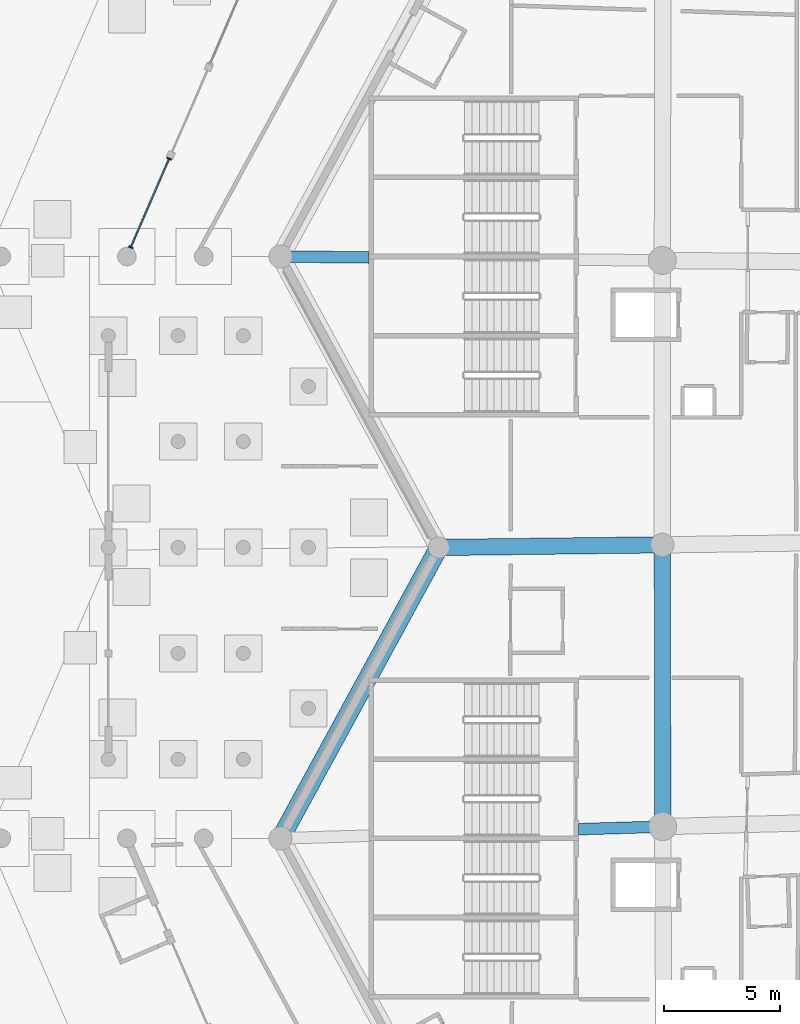
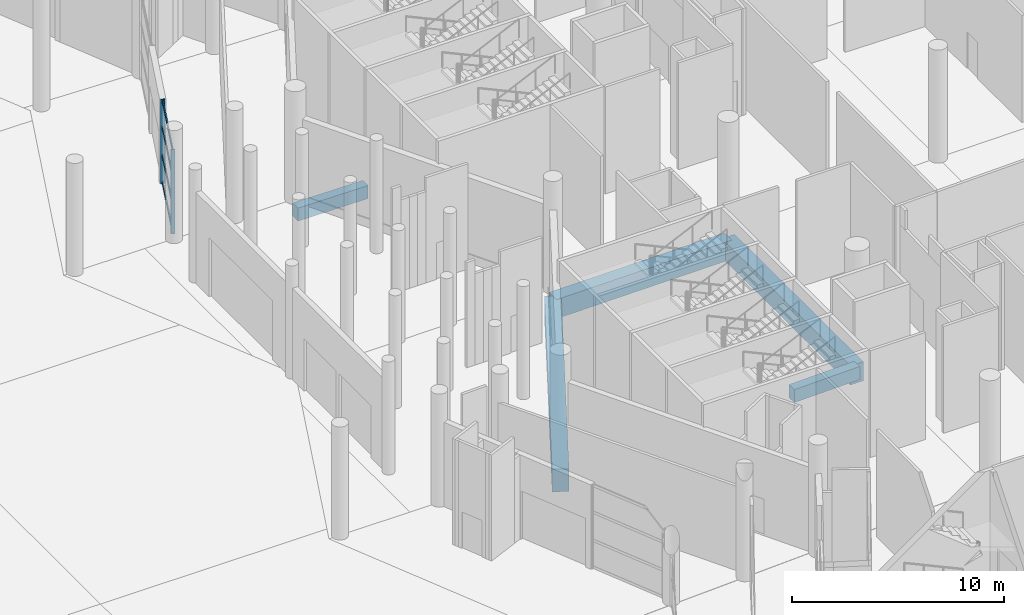
# One storey, part 26 of 255: 6 members, 5 beams, 1 element without a shape of its own.
"""IFC4 building model written with IfcOpenShell, lengths in metres."""

from ifc_helpers import new_model, si_unit, direction, frame, origin, origin_2d, place, context, subcontext, project, spatial, rectangle, extrude, material, layer, layer_set, material_profile, profile_set, type_object, element, aggregate, save


model = new_model("IFC4")

# Units and contexts
model_context = context("Model", 3, precision=1e-05, world=origin(), true_north=direction((0.0, 1.0)))
body_context = subcontext(model_context, "Body", "Model", "MODEL_VIEW")
ifc_project = project(units=[si_unit("LENGTHUNIT", "METRE"), si_unit("AREAUNIT", "SQUARE_METRE"), si_unit("VOLUMEUNIT", "CUBIC_METRE"), si_unit("PLANEANGLEUNIT", "RADIAN"), si_unit("MASSUNIT", "GRAM", prefix="KILO")], contexts=[model_context])

# Site, building, storey
site_placement = place(None, origin())
site = spatial("IfcSite", under=ifc_project, at=site_placement, CompositionType="ELEMENT")
building_placement = place(site_placement, origin())
building = spatial("IfcBuilding", under=site, at=building_placement, Name="Meseta Stadium", CompositionType="ELEMENT")
storey_placement = place(building_placement, origin())
storey = spatial("IfcBuildingStorey", under=building, at=storey_placement, Name="L00", CompositionType="ELEMENT", Elevation=0.0)

# Beams
ifc_material_1 = material(Name="Concrete C40/50", Category="concrete")
ifc_material_profile_1 = material_profile(ifc_material_1, rectangle(XDim=0.5, YDim=0.75, at=origin_2d()), Name="RC 500x750")
ifc_profile_set_1 = profile_set([ifc_material_profile_1], Name="Concrete C40/50")
beam_type_1 = type_object("IfcBeamType", Name="RC beam 500x750", PredefinedType="BEAM", material=ifc_profile_set_1)
beam_1_placement = place(storey_placement, frame((-97.60009765625, 6.2109375, -0.77490234375), z_axis=(-0.999947163614, 0.010279590477, 0.0), x_axis=(-0.010279590477, -0.999947163614, 0.0)))
element("IfcBeam", 1, at=beam_1_placement, inside=storey, type_object=beam_type_1, Name="L00 radial beam frame 32 line P to R", PredefinedType="BEAM", context=body_context, shape_type="SweptSolid", body=[
    extrude(rectangle(XDim=0.5, YDim=0.75, at=origin_2d()), origin(), (0.0, 0.0, 1.0), 3.800048828125),
])
beam_2_placement = place(storey_placement, frame((-84.978515625, -18.24365234375, -0.77490234375), z_axis=(-0.999525783299, -0.030792994672, 0.0), x_axis=(0.030792994672, -0.999525783299, 0.0)))
element("IfcBeam", 2, at=beam_2_placement, inside=storey, type_object=beam_type_1, Name="L00 radial beam frame 34 line P to R", PredefinedType="BEAM", context=body_context, shape_type="SweptSolid", body=[
    extrude(rectangle(XDim=0.5, YDim=0.75, at=origin_2d()), origin(), (0.0, 0.0, 1.0), 3.623291015625),
])
ifc_material_2 = material(Name="Concrete C40/50", Category="concrete")
ifc_material_profile_2 = material_profile(ifc_material_2, rectangle(XDim=0.699951171875, YDim=1.10009765625, at=origin_2d()), Name="RC 700x1100")
ifc_profile_set_2 = profile_set([ifc_material_profile_2], Name="Concrete C40/50")
beam_type_2 = type_object("IfcBeamType", Name="RC beam 700x1100", PredefinedType="BEAM", material=ifc_profile_set_2)
beam_3_placement = place(storey_placement, frame((-84.9970703125, -6.13720703125, -0.949951171875), z_axis=(0.001532627062, -0.999998825526, 0.0), x_axis=(0.999998825526, 0.001532627062, 0.0)))
element("IfcBeam", 3, at=beam_3_placement, inside=storey, type_object=beam_type_2, Name="L00 ring beam frame 33 line P", PredefinedType="BEAM", context=body_context, shape_type="SweptSolid", body=[
    extrude(rectangle(XDim=0.699951171875, YDim=1.10009765625, at=origin_2d()), origin(), (0.0, 0.0, 1.0), 12.1064453125),
])
beam_4_placement = place(storey_placement, frame((-84.9970703125, -6.13720703125, -0.949951171875), z_axis=(-0.999931028004, -0.01174475352, 0.0), x_axis=(0.01174475352, -0.999931028004, 0.0)))
element("IfcBeam", 4, at=beam_4_placement, inside=storey, type_object=beam_type_2, Name="L00 radial beam frame 33 line P to R", PredefinedType="BEAM", context=body_context, shape_type="SweptSolid", body=[
    extrude(rectangle(XDim=0.699951171875, YDim=1.10009765625, at=origin_2d()), origin(), (0.0, 0.0, 1.0), 9.603759765625),
])
ifc_material_3 = material(Name="Concrete C40/50", Category="concrete")
ifc_material_profile_3 = material_profile(ifc_material_3, rectangle(XDim=0.800048828125, YDim=1.300048828125, at=origin_2d()), Name="RC 800x1300")
ifc_profile_set_3 = profile_set([ifc_material_profile_3], Name="Concrete C40/50")
beam_type_3 = type_object("IfcBeamType", Name="RC beam 800x1300", PredefinedType="BEAM", material=ifc_profile_set_3)
beam_5_placement = place(storey_placement, frame((-94.60009765625, -6.25, -1.050048828125), z_axis=(-0.47785649891, -0.878437912689, 0.0), x_axis=(0.878437912689, -0.47785649891, 0.0)))
element("IfcBeam", 5, at=beam_5_placement, inside=storey, type_object=beam_type_3, Name="L00 ring beam frame 33 line R", PredefinedType="BEAM", context=body_context, shape_type="SweptSolid", body=[
    extrude(rectangle(XDim=0.800048828125, YDim=1.300048828125, at=origin_2d()), origin(), (0.0, 0.0, 1.0), 14.229736328125),
])

# Curtain wall, members
ifc_material_4 = material(Name="Aluminium", Category="aluminium")
ifc_layer = layer(ifc_material_4, 0.199951171875)
ifc_layer_set = layer_set([ifc_layer], Name="Ring shopfront curtain wall")
curtain_wall_type = type_object("IfcCurtainWallType", Name="Ring shopfront curtain wall", PredefinedType="NOTDEFINED", material=ifc_layer_set)
curtain_wall_placement = place(storey_placement, origin())
curtain_wall = element("IfcCurtainWall", 6, at=curtain_wall_placement, inside=storey, type_object=curtain_wall_type, Name="Shopfront glazing F31b", PredefinedType="NOTDEFINED")
ifc_material_5 = material(Name="Aluminium", Category="aluminium")
ifc_material_profile_4 = material_profile(ifc_material_5, rectangle(XDim=0.199951171875, YDim=0.06005859375, at=origin_2d()), Name="CW 200x60")
ifc_profile_set_4 = profile_set([ifc_material_profile_4], Name="Aluminium")
member_type_1 = type_object("IfcMemberType", Name="Ring CW mullion 60x200", PredefinedType="MULLION", material=ifc_profile_set_4)
member_1_placement = place(storey_placement, frame((-106.184326171875, 10.452880859375, 0.0), z_axis=(0.0, 0.0, 1.0), x_axis=(0.918001803218, -0.396576208678, 0.0)))
member_1 = element("IfcMember", 7, at=member_1_placement, type_object=member_type_1, Name="CWR1 mullion 1", PredefinedType="MULLION", context=body_context, shape_type="SweptSolid", body=[
    extrude(rectangle(XDim=0.199951171875, YDim=0.06005859375, at=origin_2d()), origin(), (0.0, 0.0, 1.0), 4.85009765625),
])
member_2_placement = place(storey_placement, frame((-107.82958984375, 6.644775390625, 0.0), z_axis=(0.0, 0.0, 1.0), x_axis=(0.918001803218, -0.396576208678, 0.0)))
member_2 = element("IfcMember", 8, at=member_2_placement, type_object=member_type_1, Name="CWR1 mullion 2", PredefinedType="MULLION", context=body_context, shape_type="SweptSolid", body=[
    extrude(rectangle(XDim=0.199951171875, YDim=0.06005859375, at=origin_2d()), origin(), (0.0, 0.0, 1.0), 4.85009765625),
])
ifc_material_6 = material(Name="Aluminium", Category="aluminium")
ifc_material_profile_5 = material_profile(ifc_material_6, rectangle(XDim=0.06005859375, YDim=0.14990234375, at=origin_2d()), Name="CW 60x150")
ifc_profile_set_5 = profile_set([ifc_material_profile_5], Name="Aluminium")
member_type_2 = type_object("IfcMemberType", Name="Ring CW transom 60x150", PredefinedType="USERDEFINED", material=ifc_profile_set_5)
member_3_placement = place(storey_placement, frame((-106.1962890625, 10.42529296875, 0.074951171875), z_axis=(-0.396591585893, -0.917995160118, 0.0), x_axis=(0.917995160118, -0.396591585893, 0.0)))
member_3 = element("IfcMember", 9, at=member_3_placement, type_object=member_type_2, Name="CWR1 transom 1.1", ObjectType="TRANSOM", PredefinedType="USERDEFINED", context=body_context, shape_type="SweptSolid", body=[
    extrude(rectangle(XDim=0.06005859375, YDim=0.14990234375, at=origin_2d()), origin(), (0.0, 0.0, 1.0), 4.088134765625),
])
member_4_placement = place(storey_placement, frame((-106.1962890625, 10.42529296875, 1.61669921875), z_axis=(-0.396591585893, -0.917995160118, 0.0), x_axis=(0.917995160118, -0.396591585893, 0.0)))
member_4 = element("IfcMember", 10, at=member_4_placement, type_object=member_type_2, Name="CWR1 transom 1.2", ObjectType="TRANSOM", PredefinedType="USERDEFINED", context=body_context, shape_type="SweptSolid", body=[
    extrude(rectangle(XDim=0.06005859375, YDim=0.14990234375, at=origin_2d()), origin(), (0.0, 0.0, 1.0), 4.088134765625),
])
member_5_placement = place(storey_placement, frame((-106.1962890625, 10.42529296875, 3.2333984375), z_axis=(-0.396591585893, -0.917995160118, 0.0), x_axis=(0.917995160118, -0.396591585893, 0.0)))
member_5 = element("IfcMember", 11, at=member_5_placement, type_object=member_type_2, Name="CWR1 transom 1.3", ObjectType="TRANSOM", PredefinedType="USERDEFINED", context=body_context, shape_type="SweptSolid", body=[
    extrude(rectangle(XDim=0.06005859375, YDim=0.14990234375, at=origin_2d()), origin(), (0.0, 0.0, 1.0), 4.088134765625),
])
member_6_placement = place(storey_placement, frame((-106.1962890625, 10.42529296875, 4.77490234375), z_axis=(-0.396591585893, -0.917995160118, 0.0), x_axis=(0.917995160118, -0.396591585893, 0.0)))
member_6 = element("IfcMember", 12, at=member_6_placement, type_object=member_type_2, Name="CWR1 transom 1.4", ObjectType="TRANSOM", PredefinedType="USERDEFINED", context=body_context, shape_type="SweptSolid", body=[
    extrude(rectangle(XDim=0.06005859375, YDim=0.14990234375, at=origin_2d()), origin(), (0.0, 0.0, 1.0), 4.088134765625),
])
aggregate(curtain_wall, [member_1, member_2, member_3, member_4, member_5, member_6])

save(model, "model.ifc")
